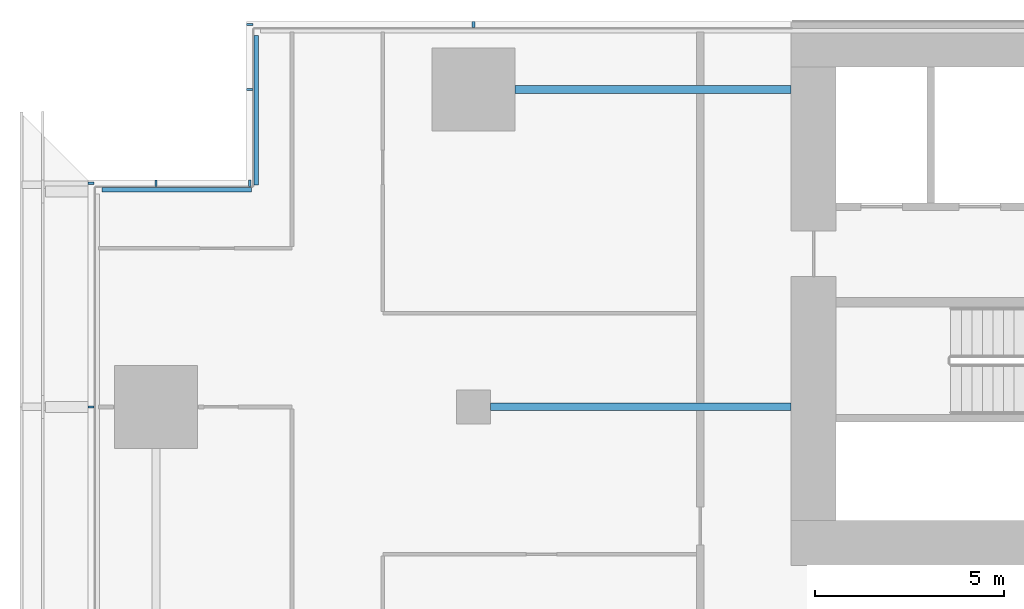
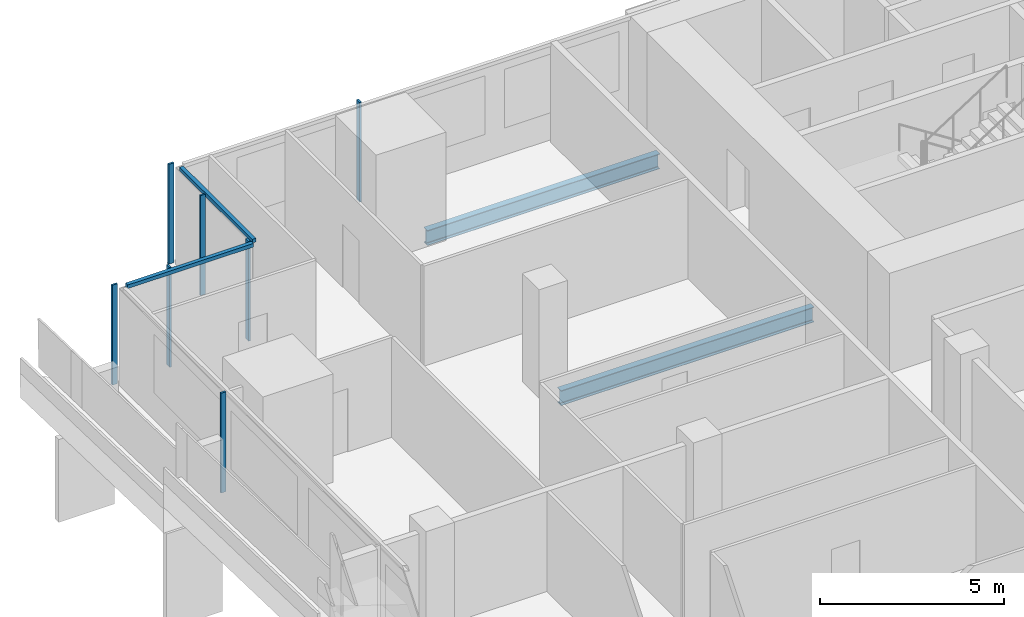
# One storey, part 7 of 25: 9 members, 2 beams, 4 elements without a shape of their own.
"""IFC4 building model written with IfcOpenShell, lengths in metres."""

from ifc_helpers import new_model, si_unit, direction, frame, origin, origin_2d, place, context, subcontext, project, spatial, rectangle, i_section, extrude, material, material_profile, profile_set, type_object, element, aggregate, save


model = new_model("IFC4")

# Units and contexts
model_context = context("Model", 3, precision=1e-05, world=origin(), true_north=direction((0.0, 1.0)))
body_context = subcontext(model_context, "Body", "Model", "MODEL_VIEW")
ifc_project = project(units=[si_unit("LENGTHUNIT", "METRE"), si_unit("AREAUNIT", "SQUARE_METRE"), si_unit("VOLUMEUNIT", "CUBIC_METRE"), si_unit("PLANEANGLEUNIT", "RADIAN"), si_unit("MASSUNIT", "GRAM", prefix="KILO")], contexts=[model_context])

# Site, building, storey
site_placement = place(None, origin())
site = spatial("IfcSite", under=ifc_project, at=site_placement, CompositionType="ELEMENT")
building_placement = place(site_placement, origin())
building = spatial("IfcBuilding", under=site, at=building_placement, Name="Saffron Gate Tower", CompositionType="ELEMENT")
storey_placement = place(building_placement, frame((0.0, 0.0, 73.199951171875)))
storey = spatial("IfcBuildingStorey", under=building, at=storey_placement, Name="L17", CompositionType="ELEMENT", Elevation=73.199951171875)

# Beams
ifc_material_1 = material(Name="Structural steel S355", Category="steel")
ifc_material_profile_1 = material_profile(ifc_material_1, i_section(OverallWidth=0.199951171875, OverallDepth=0.5, WebThickness=0.01025390625, FlangeThickness=0.01611328125, FilletRadius=0.02099609375, at=origin_2d()))
ifc_profile_set_1 = profile_set([ifc_material_profile_1], Name="Structural steel S355")
beam_type = type_object("IfcBeamType", Name="B10 IPE 500", PredefinedType="BEAM", material=ifc_profile_set_1)
beam_1_placement = place(storey_placement, frame((58.64990234375, 65.39990234375, -0.530029296875), z_axis=(1.0, 0.0, 0.0), x_axis=(0.0, 1.0, 0.0)))
element("IfcBeam", 1, at=beam_1_placement, inside=storey, type_object=beam_type, Name="B10 CORE TIE BEAM", PredefinedType="BEAM", context=body_context, shape_type="SweptSolid", body=[
    extrude(i_section(OverallWidth=0.199951171875, OverallDepth=0.5, WebThickness=0.01025390625, FlangeThickness=0.01611328125, FilletRadius=0.02099609375, at=origin_2d()), origin(), (0.0, 0.0, 1.0), 7.9501953125),
])
beam_2_placement = place(storey_placement, frame((59.300048828125, 73.800048828125, -0.530029296875), z_axis=(1.0, 0.0, 0.0), x_axis=(0.0, 1.0, 0.0)))
element("IfcBeam", 2, at=beam_2_placement, inside=storey, type_object=beam_type, Name="B10 CORE TIE BEAM", PredefinedType="BEAM", context=body_context, shape_type="SweptSolid", body=[
    extrude(i_section(OverallWidth=0.199951171875, OverallDepth=0.5, WebThickness=0.01025390625, FlangeThickness=0.01611328125, FilletRadius=0.02099609375, at=origin_2d()), origin(), (0.0, 0.0, 1.0), 7.300048828125),
])

# Curtain wall, members
ifc_material_2 = material(Name="Aluminium, bronze anodised", Category="aluminium")
curtain_wall_type_1 = type_object("IfcCurtainWallType", Name="CWS2 curtain wall side facades", PredefinedType="NOTDEFINED", material=ifc_material_2)
curtain_wall_1_placement = place(storey_placement, origin())
curtain_wall_1 = element("IfcCurtainWall", 3, at=curtain_wall_1_placement, inside=storey, type_object=curtain_wall_type_1, Name="CWS2 run 10", PredefinedType="NOTDEFINED")
ifc_material_profile_2 = material_profile(ifc_material_2, rectangle(XDim=0.159912109375, YDim=0.06005859375, at=origin_2d()))
ifc_profile_set_2 = profile_set([ifc_material_profile_2], Name="Aluminium, bronze anodised")
member_type_1 = type_object("IfcMemberType", Name="CWS2 mullion 60x160", PredefinedType="MULLION", material=ifc_profile_set_2)
member_1_placement = place(storey_placement, frame((48.080078125, 71.320068359375, 0.0), z_axis=(0.0, 0.0, 1.0), x_axis=(1.0, 0.0, 0.0)))
member_1 = element("IfcMember", 4, at=member_1_placement, type_object=member_type_1, Name="CWS2 mullion 1", PredefinedType="MULLION", context=body_context, shape_type="SweptSolid", body=[
    extrude(rectangle(XDim=0.159912109375, YDim=0.06005859375, at=origin_2d()), origin(), (0.0, 0.0, 1.0), 3.320068359375),
])
member_2_placement = place(storey_placement, frame((48.080078125, 65.39990234375, 0.0), z_axis=(0.0, 0.0, 1.0), x_axis=(1.0, 0.0, 0.0)))
member_2 = element("IfcMember", 5, at=member_2_placement, type_object=member_type_1, Name="CWS2 mullion 2", PredefinedType="MULLION", context=body_context, shape_type="SweptSolid", body=[
    extrude(rectangle(XDim=0.159912109375, YDim=0.06005859375, at=origin_2d()), origin(), (0.0, 0.0, 1.0), 3.320068359375),
])
aggregate(curtain_wall_1, [member_1, member_2])

# Curtain wall, member
curtain_wall_type_2 = type_object("IfcCurtainWallType", Name="CWS3 curtain wall rear facade", PredefinedType="NOTDEFINED", material=ifc_material_2)
curtain_wall_2_placement = place(storey_placement, origin())
curtain_wall_2 = element("IfcCurtainWall", 6, at=curtain_wall_2_placement, inside=storey, type_object=curtain_wall_type_2, Name="CWS3 run 7", PredefinedType="NOTDEFINED")
ifc_material_profile_3 = material_profile(ifc_material_2, rectangle(XDim=0.159912109375, YDim=0.070068359375, at=origin_2d()))
ifc_profile_set_3 = profile_set([ifc_material_profile_3], Name="Aluminium, bronze anodised")
member_type_2 = type_object("IfcMemberType", Name="CWS3 mullion 70x160", PredefinedType="MULLION", material=ifc_profile_set_3)
member_3_placement = place(storey_placement, frame((58.199951171875, 75.52001953125, 0.0), z_axis=(0.0, 0.0, 1.0), x_axis=(0.0, -1.0, 0.0)))
member_3 = element("IfcMember", 7, at=member_3_placement, type_object=member_type_2, Name="CWS3 mullion 9", PredefinedType="MULLION", context=body_context, shape_type="SweptSolid", body=[
    extrude(rectangle(XDim=0.159912109375, YDim=0.070068359375, at=origin_2d()), origin(), (0.0, 0.0, 1.0), 3.320068359375),
])
aggregate(curtain_wall_2, [member_3])

curtain_wall_type_3 = type_object("IfcCurtainWallType", Name="CWS4 curtain wall corner returns", PredefinedType="NOTDEFINED", material=ifc_material_2)
curtain_wall_3_placement = place(storey_placement, origin())
curtain_wall_3 = element("IfcCurtainWall", 8, at=curtain_wall_3_placement, inside=storey, type_object=curtain_wall_type_3, Name="CWS4 run 8", PredefinedType="NOTDEFINED")
ifc_material_profile_4 = material_profile(ifc_material_2, rectangle(XDim=0.1201171875, YDim=0.1201171875, at=origin_2d()))
ifc_profile_set_4 = profile_set([ifc_material_profile_4], Name="Aluminium, bronze anodised")
member_type_3 = type_object("IfcMemberType", Name="CWS4 head transom", PredefinedType="USERDEFINED", material=ifc_profile_set_4)
member_4_placement = place(storey_placement, frame((52.447998046875, 75.23193359375, 3.260009765625), z_axis=(0.0, -1.0, 0.0), x_axis=(1.0, 0.0, 0.0)))
member_4 = element("IfcMember", 9, at=member_4_placement, type_object=member_type_3, Name="CWS4 head transom", ObjectType="TRANSOM", PredefinedType="USERDEFINED", context=body_context, shape_type="SweptSolid", body=[
    extrude(rectangle(XDim=0.1201171875, YDim=0.1201171875, at=origin_2d()), origin(), (0.0, 0.0, 1.0), 3.9599609375),
])

curtain_wall_4_placement = place(storey_placement, origin())
curtain_wall_4 = element("IfcCurtainWall", 10, at=curtain_wall_4_placement, inside=storey, type_object=curtain_wall_type_3, Name="CWS4 run 9", PredefinedType="NOTDEFINED")
member_5_placement = place(storey_placement, frame((52.327880859375, 71.152099609375, 3.260009765625), z_axis=(-1.0, 0.0, 0.0), x_axis=(0.0, -1.0, 0.0)))
member_5 = element("IfcMember", 11, at=member_5_placement, type_object=member_type_3, Name="CWS4 head transom", ObjectType="TRANSOM", PredefinedType="USERDEFINED", context=body_context, shape_type="SweptSolid", body=[
    extrude(rectangle(XDim=0.1201171875, YDim=0.1201171875, at=origin_2d()), origin(), (0.0, 0.0, 1.0), 3.9599609375),
])

# Member
ifc_material_profile_5 = material_profile(ifc_material_2, rectangle(XDim=0.159912109375, YDim=0.06005859375, at=origin_2d()))
ifc_profile_set_5 = profile_set([ifc_material_profile_5], Name="Aluminium, bronze anodised")
member_type_4 = type_object("IfcMemberType", Name="CWS4 mullion 60x160", PredefinedType="MULLION", material=ifc_profile_set_5)
member_6_placement = place(storey_placement, frame((52.280029296875, 75.52001953125, 0.0), z_axis=(0.0, 0.0, 1.0), x_axis=(1.0, 0.0, 0.0)))
member_6 = element("IfcMember", 12, at=member_6_placement, type_object=member_type_4, Name="CWS4 mullion 1", PredefinedType="MULLION", context=body_context, shape_type="SweptSolid", body=[
    extrude(rectangle(XDim=0.159912109375, YDim=0.06005859375, at=origin_2d()), origin(), (0.0, 0.0, 1.0), 3.320068359375),
])

member_7_placement = place(storey_placement, frame((52.280029296875, 73.800048828125, 0.0), z_axis=(0.0, 0.0, 1.0), x_axis=(1.0, 0.0, 0.0)))
member_7 = element("IfcMember", 13, at=member_7_placement, type_object=member_type_4, Name="CWS4 mullion 2", PredefinedType="MULLION", context=body_context, shape_type="SweptSolid", body=[
    extrude(rectangle(XDim=0.159912109375, YDim=0.06005859375, at=origin_2d()), origin(), (0.0, 0.0, 1.0), 3.320068359375),
])

aggregate(curtain_wall_3, [member_6, member_7, member_4])

member_8_placement = place(storey_placement, frame((52.280029296875, 71.320068359375, 0.0), z_axis=(0.0, 0.0, 1.0), x_axis=(0.0, -1.0, 0.0)))
member_8 = element("IfcMember", 14, at=member_8_placement, type_object=member_type_4, Name="CWS4 mullion 1", PredefinedType="MULLION", context=body_context, shape_type="SweptSolid", body=[
    extrude(rectangle(XDim=0.159912109375, YDim=0.06005859375, at=origin_2d()), origin(), (0.0, 0.0, 1.0), 3.320068359375),
])

member_9_placement = place(storey_placement, frame((49.800048828125, 71.320068359375, 0.0), z_axis=(0.0, 0.0, 1.0), x_axis=(0.0, -1.0, 0.0)))
member_9 = element("IfcMember", 15, at=member_9_placement, type_object=member_type_4, Name="CWS4 mullion 2", PredefinedType="MULLION", context=body_context, shape_type="SweptSolid", body=[
    extrude(rectangle(XDim=0.159912109375, YDim=0.06005859375, at=origin_2d()), origin(), (0.0, 0.0, 1.0), 3.320068359375),
])

aggregate(curtain_wall_4, [member_8, member_9, member_5])

save(model, "model.ifc")
